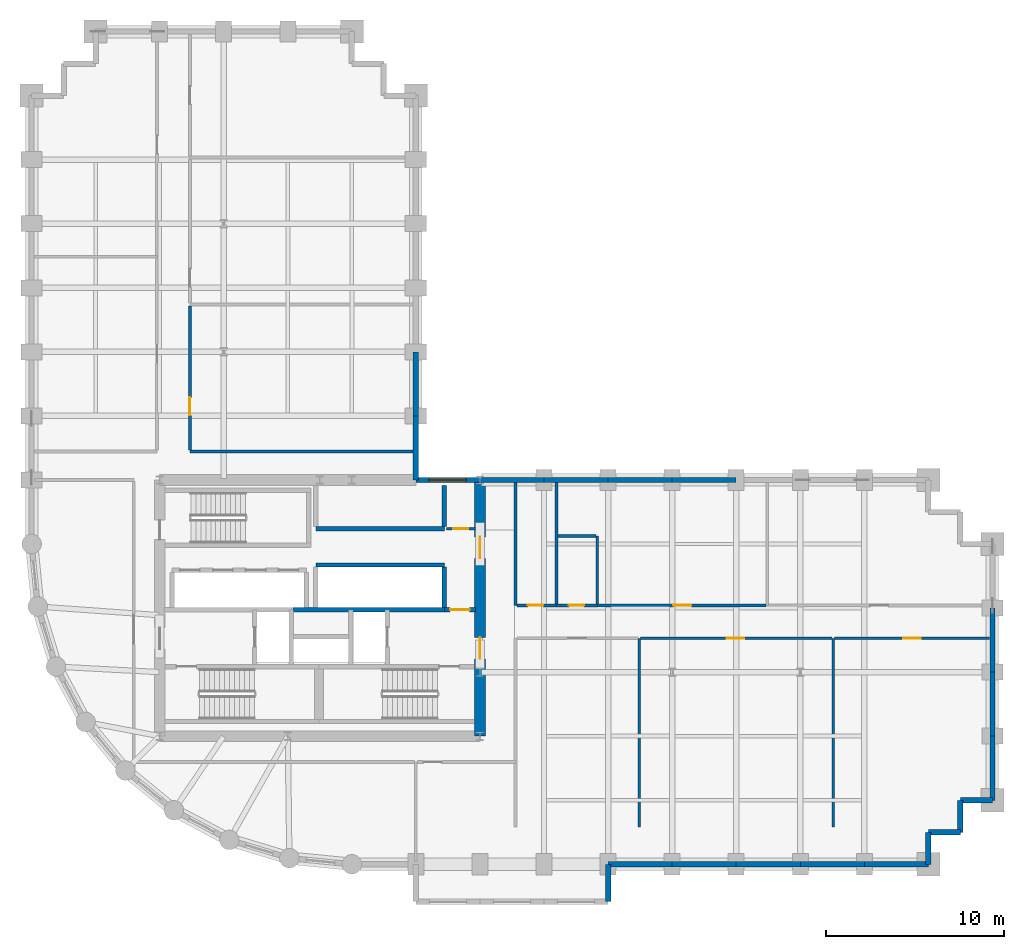
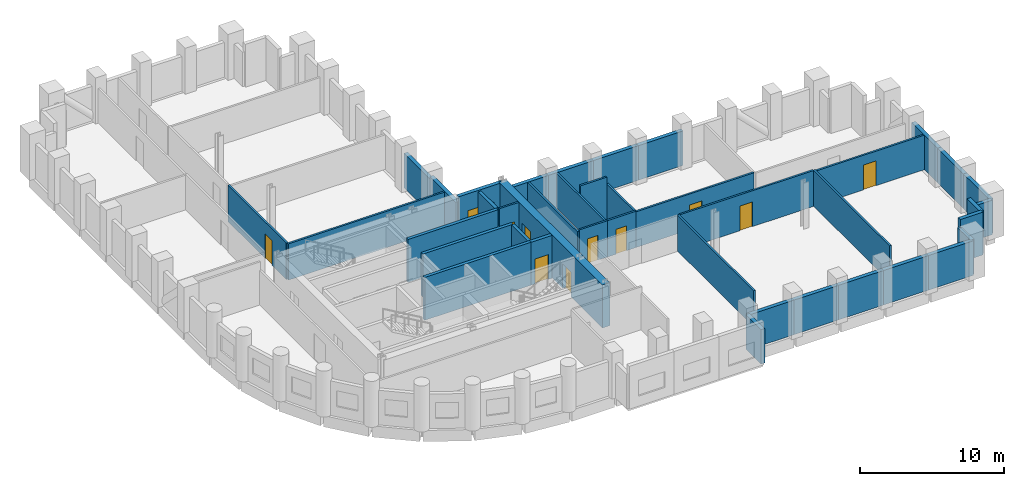
# One storey, part 7 of 9: 41 walls, 10 doors, 1 window, 11 openings.
"""IFC4 building model written with IfcOpenShell, lengths in metres."""

from ifc_helpers import new_model, si_unit, direction, frame, frame_2d, origin, place, context, subcontext, project, spatial, rectangle, extrude, material, layer, layer_set, type_object, element, fill, save


model = new_model("IFC4")

# Units and contexts
model_context = context("Model", 3, precision=1e-05, world=origin(), true_north=direction((0.0, 1.0)))
body_context = subcontext(model_context, "Body", "Model", "MODEL_VIEW")
ifc_project = project(units=[si_unit("LENGTHUNIT", "METRE"), si_unit("AREAUNIT", "SQUARE_METRE"), si_unit("VOLUMEUNIT", "CUBIC_METRE"), si_unit("PLANEANGLEUNIT", "RADIAN"), si_unit("MASSUNIT", "GRAM", prefix="KILO")], contexts=[model_context])

# Site, building, storey
site_placement = place(None, origin())
site = spatial("IfcSite", under=ifc_project, at=site_placement, CompositionType="ELEMENT")
building_placement = place(site_placement, origin())
building = spatial("IfcBuilding", under=site, at=building_placement, Name="Solnavia Interchange Tower", CompositionType="ELEMENT")
storey_placement = place(building_placement, frame((0.0, 0.0, 59.10009765625)))
storey = spatial("IfcBuildingStorey", under=building, at=storey_placement, Name="L14", CompositionType="ELEMENT", Elevation=59.10009765625)

# Walls
ifc_material_1 = material(Name="Concrete C40/50", Category="concrete")
ifc_layer_1 = layer(ifc_material_1, 0.300048828125)
ifc_layer_set_1 = layer_set([ifc_layer_1], Name="Concrete C40/50")
wall_type_1 = type_object("IfcWallType", Name="Wall-ExtSpandrel-300", PredefinedType="STANDARD", material=ifc_layer_set_1)
wall_1_placement = place(storey_placement, frame((39.60009765625, 3.60009765625, 0.0), z_axis=(0.0, 0.0, 1.0), x_axis=(0.0, -1.0, 0.0)))
element("IfcWall", 1, at=wall_1_placement, inside=storey, type_object=wall_type_1, Name="EXW-L14-06 Exterior precast spandrel wall", PredefinedType="STANDARD", context=body_context, shape_type="SweptSolid", body=[
    extrude(rectangle(XDim=2.10009765625, YDim=0.300048828125, at=frame_2d((1.050048828125, 0.0))), origin(), (0.0, 0.0, 1.0), 2.929931640625),
])
wall_2_placement = place(storey_placement, frame((43.199951171875, 3.60009765625, 0.0), z_axis=(0.0, 0.0, 1.0), x_axis=(-1.0, 0.0, 0.0)))
element("IfcWall", 2, at=wall_2_placement, inside=storey, type_object=wall_type_1, Name="EXW-L14-07 Exterior precast spandrel wall", PredefinedType="STANDARD", context=body_context, shape_type="SweptSolid", body=[
    extrude(rectangle(XDim=3.599853515625, YDim=0.300048828125, at=frame_2d((1.7998046875, 0.0))), origin(), (0.0, 0.0, 1.0), 2.929931640625),
])
wall_3_placement = place(storey_placement, frame((46.800048828125, 3.60009765625, 0.0), z_axis=(0.0, 0.0, 1.0), x_axis=(-1.0, 0.0, 0.0)))
element("IfcWall", 3, at=wall_3_placement, inside=storey, type_object=wall_type_1, Name="EXW-L14-08 Exterior precast spandrel wall", PredefinedType="STANDARD", context=body_context, shape_type="SweptSolid", body=[
    extrude(rectangle(XDim=3.60009765625, YDim=0.300048828125, at=frame_2d((1.800048828125, 0.0))), origin(), (0.0, 0.0, 1.0), 2.929931640625),
])
wall_4_placement = place(storey_placement, frame((50.39990234375, 3.60009765625, 0.0), z_axis=(0.0, 0.0, 1.0), x_axis=(-1.0, 0.0, 0.0)))
element("IfcWall", 4, at=wall_4_placement, inside=storey, type_object=wall_type_1, Name="EXW-L14-09 Exterior precast spandrel wall", PredefinedType="STANDARD", context=body_context, shape_type="SweptSolid", body=[
    extrude(rectangle(XDim=3.599853515625, YDim=0.300048828125, at=frame_2d((1.7998046875, 0.0))), origin(), (0.0, 0.0, 1.0), 2.929931640625),
])
for number, where, z_axis, x_axis, name in (
    (5, (54.0, 3.60009765625, 0.0), (0.0, 0.0, 1.0), (-1.0, 0.0, 0.0), "EXW-L14-10 Exterior precast spandrel wall"),
    (6, (57.60009765625, 3.60009765625, 0.0), (0.0, 0.0, 1.0), (-1.0, 0.0, 0.0), "EXW-L14-11 Exterior precast spandrel wall"),
):
    element("IfcWall", number, at=place(storey_placement, frame(where, z_axis=z_axis, x_axis=x_axis)), inside=storey, type_object=wall_type_1, Name=name, PredefinedType="STANDARD", context=body_context, shape_type="SweptSolid", body=[
        extrude(rectangle(XDim=3.60009765625, YDim=0.300048828125, at=frame_2d((1.800048828125, 0.0))), origin(), (0.0, 0.0, 1.0), 2.929931640625),
    ])
wall_5_placement = place(storey_placement, frame((57.60009765625, 5.39990234375, 0.0), z_axis=(0.0, 0.0, 1.0), x_axis=(0.0, -1.0, 0.0)))
element("IfcWall", 7, at=wall_5_placement, inside=storey, type_object=wall_type_1, Name="EXW-L14-12 Exterior precast spandrel wall", PredefinedType="STANDARD", context=body_context, shape_type="SweptSolid", body=[
    extrude(rectangle(XDim=1.7998046875, YDim=0.300048828125, at=frame_2d((0.89990234375, 0.0))), origin(), (0.0, 0.0, 1.0), 2.929931640625),
])
wall_6_placement = place(storey_placement, frame((59.39990234375, 5.39990234375, 0.0), z_axis=(0.0, 0.0, 1.0), x_axis=(-1.0, 0.0, 0.0)))
element("IfcWall", 8, at=wall_6_placement, inside=storey, type_object=wall_type_1, Name="EXW-L14-13 Exterior precast spandrel wall", PredefinedType="STANDARD", context=body_context, shape_type="SweptSolid", body=[
    extrude(rectangle(XDim=1.7998046875, YDim=0.300048828125, at=frame_2d((0.89990234375, 0.0))), origin(), (0.0, 0.0, 1.0), 3.635009765625),
])
wall_7_placement = place(storey_placement, frame((59.39990234375, 7.199951171875, 0.0), z_axis=(0.0, 0.0, 1.0), x_axis=(0.0, -1.0, 0.0)))
element("IfcWall", 9, at=wall_7_placement, inside=storey, type_object=wall_type_1, Name="EXW-L14-14 Exterior precast spandrel wall", PredefinedType="STANDARD", context=body_context, shape_type="SweptSolid", body=[
    extrude(rectangle(XDim=1.800048828125, YDim=0.300048828125, at=frame_2d((0.89990234375, 0.0))), origin(), (0.0, 0.0, 1.0), 3.635009765625),
])
wall_8_placement = place(storey_placement, frame((61.199951171875, 7.199951171875, 0.0), z_axis=(0.0, 0.0, 1.0), x_axis=(-1.0, 0.0, 0.0)))
element("IfcWall", 10, at=wall_8_placement, inside=storey, type_object=wall_type_1, Name="EXW-L14-15 Exterior precast spandrel wall", PredefinedType="STANDARD", context=body_context, shape_type="SweptSolid", body=[
    extrude(rectangle(XDim=1.800048828125, YDim=0.300048828125, at=frame_2d((0.89990234375, 0.0))), origin(), (0.0, 0.0, 1.0), 2.929931640625),
])
wall_9_placement = place(storey_placement, frame((61.199951171875, 10.800048828125, 0.0), z_axis=(0.0, 0.0, 1.0), x_axis=(0.0, -1.0, 0.0)))
element("IfcWall", 11, at=wall_9_placement, inside=storey, type_object=wall_type_1, Name="EXW-L14-16 Exterior precast spandrel wall", PredefinedType="STANDARD", context=body_context, shape_type="SweptSolid", body=[
    extrude(rectangle(XDim=3.60009765625, YDim=0.300048828125, at=frame_2d((1.800048828125, 0.0))), origin(), (0.0, 0.0, 1.0), 2.929931640625),
])
wall_10_placement = place(storey_placement, frame((61.199951171875, 14.39990234375, 0.0), z_axis=(0.0, 0.0, 1.0), x_axis=(0.0, -1.0, 0.0)))
element("IfcWall", 12, at=wall_10_placement, inside=storey, type_object=wall_type_1, Name="EXW-L14-17 Exterior precast spandrel wall", PredefinedType="STANDARD", context=body_context, shape_type="SweptSolid", body=[
    extrude(rectangle(XDim=3.599853515625, YDim=0.300048828125, at=frame_2d((1.7998046875, 0.0))), origin(), (0.0, 0.0, 1.0), 2.929931640625),
])
for number, where, z_axis, x_axis, name in (
    (13, (61.199951171875, 18.0, 0.0), (0.0, 0.0, 1.0), (0.0, -1.0, 0.0), "EXW-L14-18 Exterior precast spandrel wall"),
    (14, (43.199951171875, 25.199951171875, 0.0), (0.0, 0.0, 1.0), (1.0, 0.0, 0.0), "EXW-L14-27 Exterior precast spandrel wall"),
):
    element("IfcWall", number, at=place(storey_placement, frame(where, z_axis=z_axis, x_axis=x_axis)), inside=storey, type_object=wall_type_1, Name=name, PredefinedType="STANDARD", context=body_context, shape_type="SweptSolid", body=[
        extrude(rectangle(XDim=3.60009765625, YDim=0.300048828125, at=frame_2d((1.800048828125, 0.0))), origin(), (0.0, 0.0, 1.0), 2.929931640625),
    ])
wall_11_placement = place(storey_placement, frame((39.60009765625, 25.199951171875, 0.0), z_axis=(0.0, 0.0, 1.0), x_axis=(1.0, 0.0, 0.0)))
element("IfcWall", 15, at=wall_11_placement, inside=storey, type_object=wall_type_1, Name="EXW-L14-28 Exterior precast spandrel wall", PredefinedType="STANDARD", context=body_context, shape_type="SweptSolid", body=[
    extrude(rectangle(XDim=3.599853515625, YDim=0.300048828125, at=frame_2d((1.7998046875, 0.0))), origin(), (0.0, 0.0, 1.0), 2.929931640625),
])
for number, where, z_axis, x_axis, name in (
    (16, (36.0, 25.199951171875, 0.0), (0.0, 0.0, 1.0), (1.0, 0.0, 0.0), "EXW-L14-29 Exterior precast spandrel wall"),
    (17, (32.39990234375, 25.199951171875, 0.0), (0.0, 0.0, 1.0), (1.0, 0.0, 0.0), "EXW-L14-30 Exterior precast spandrel wall"),
):
    element("IfcWall", number, at=place(storey_placement, frame(where, z_axis=z_axis, x_axis=x_axis)), inside=storey, type_object=wall_type_1, Name=name, PredefinedType="STANDARD", context=body_context, shape_type="SweptSolid", body=[
        extrude(rectangle(XDim=3.60009765625, YDim=0.300048828125, at=frame_2d((1.800048828125, 0.0))), origin(), (0.0, 0.0, 1.0), 2.929931640625),
    ])

# Wall, opening, window
wall_12_placement = place(storey_placement, frame((28.800048828125, 25.199951171875, 0.0), z_axis=(0.0, 0.0, 1.0), x_axis=(1.0, 0.0, 0.0)))
wall_12 = element("IfcWall", 18, at=wall_12_placement, inside=storey, type_object=wall_type_1, Name="EXW-L14-31 Exterior precast spandrel wall", PredefinedType="STANDARD", context=body_context, shape_type="SweptSolid", body=[
    extrude(rectangle(XDim=3.599853515625, YDim=0.300048828125, at=frame_2d((1.7998046875, 0.0))), origin(), (0.0, 0.0, 1.0), 3.635009765625),
])
opening_1_placement = place(wall_12_placement, frame((0.72802734375, 0.0, 0.85009765625)))
opening_1 = element("IfcOpeningElement", 19, at=opening_1_placement, cuts=wall_12, Name="Opening WIN-01", PredefinedType="OPENING", context=body_context, shape_type="SweptSolid", body=[
    extrude(rectangle(XDim=2.10009765625, YDim=1.35009765625, at=frame_2d((1.050048828125, 0.675048828125))), frame((0.0, 0.16015625, 0.0), z_axis=(0.0, -1.0, 0.0), x_axis=(1.0, 0.0, 0.0)), (0.0, 0.0, 1.0), 0.320068359375),
])
ifc_material_2 = material(Name="Thermal-Break Aluminium & Low-E Glass", Category="aluminium")
window_type = type_object("IfcWindowType", Name="Window-Ribbon-2100x1350", PartitioningType="SINGLE_PANEL", PredefinedType="WINDOW", material=ifc_material_2)
window_placement = place(opening_1_placement, origin())
window = element("IfcWindow", 20, at=window_placement, inside=storey, type_object=window_type, Name="WIN-L14-31 Facade ribbon window", OverallHeight=1.35009765625, OverallWidth=2.10009765625, PartitioningType="SINGLE_PANEL", PredefinedType="WINDOW", context=body_context, shape_type="SweptSolid", body=[
    extrude(rectangle(XDim=2.10009765625, YDim=1.35009765625, at=frame_2d((1.050048828125, 0.675048828125))), frame((0.0, 0.030029296875, 0.0), z_axis=(0.0, -1.0, 0.0), x_axis=(1.0, 0.0, 0.0)), (0.0, 0.0, 1.0), 0.06005859375),
])
fill(opening_1, window)

# Walls
wall_13_placement = place(storey_placement, frame((28.800048828125, 25.199951171875, 0.0), z_axis=(0.0, 0.0, 1.0), x_axis=(0.0, 1.0, 0.0)))
element("IfcWall", 21, at=wall_13_placement, inside=storey, type_object=wall_type_1, Name="EXW-L14-32 Exterior precast spandrel wall", PredefinedType="STANDARD", context=body_context, shape_type="SweptSolid", body=[
    extrude(rectangle(XDim=3.60009765625, YDim=0.300048828125, at=frame_2d((1.800048828125, 0.0))), origin(), (0.0, 0.0, 1.0), 3.139892578125),
])
wall_14_placement = place(storey_placement, frame((28.800048828125, 28.800048828125, 0.0), z_axis=(0.0, 0.0, 1.0), x_axis=(0.0, 1.0, 0.0)))
element("IfcWall", 22, at=wall_14_placement, inside=storey, type_object=wall_type_1, Name="EXW-L14-33 Exterior precast spandrel wall", PredefinedType="STANDARD", context=body_context, shape_type="SweptSolid", body=[
    extrude(rectangle(XDim=3.599853515625, YDim=0.300048828125, at=frame_2d((1.7998046875, 0.0))), origin(), (0.0, 0.0, 1.0), 2.929931640625),
])

# Wall, opening, door
ifc_material_3 = material(Name="Gypsum Plasterboard & Steel Stud", Category="steel")
ifc_layer_2 = layer(ifc_material_3, 0.14990234375)
ifc_layer_set_2 = layer_set([ifc_layer_2], Name="Gypsum Plasterboard & Steel Stud")
wall_type_2 = type_object("IfcWallType", Name="Wall-Partition-150", PredefinedType="PARTITIONING", material=ifc_layer_set_2)
wall_15_placement = place(storey_placement, frame((30.52001953125, 22.4599609375, 0.0), z_axis=(0.0, 0.0, 1.0), x_axis=(1.0, 0.0, 0.0)))
wall_15 = element("IfcWall", 23, at=wall_15_placement, inside=storey, type_object=wall_type_2, Name="CSW-L14-NE-S Core shaft wall", PredefinedType="PARTITIONING", context=body_context, shape_type="SweptSolid", body=[
    extrude(rectangle(XDim=1.6298828125, YDim=0.14990234375, at=frame_2d((0.81494140625, 0.0))), origin(), (0.0, 0.0, 1.0), 3.635009765625),
])
opening_2_placement = place(wall_15_placement, frame((0.3798828125, 0.0, 0.0)))
opening_2 = element("IfcOpeningElement", 24, at=opening_2_placement, cuts=wall_15, Name="Opening DR-10", PredefinedType="OPENING", context=body_context, shape_type="SweptSolid", body=[
    extrude(rectangle(XDim=0.85009765625, YDim=2.10009765625, at=frame_2d((0.425048828125, 1.050048828125))), frame((0.0, 0.0849609375, 0.0), z_axis=(0.0, -1.0, 0.0), x_axis=(1.0, 0.0, 0.0)), (0.0, 0.0, 1.0), 0.169921875),
])
ifc_material_4 = material(Name="Moisture-Resistant Timber Door", Category="wood")
door_type_1 = type_object("IfcDoorType", Name="Door-Bathroom-850x2100", OperationType="SINGLE_SWING_RIGHT", PredefinedType="DOOR", material=ifc_material_4)
door_1_placement = place(opening_2_placement, origin())
door_1 = element("IfcDoor", 25, at=door_1_placement, inside=storey, type_object=door_type_1, Name="DR-L14-CNE1 Core fire door", OperationType="SINGLE_SWING_RIGHT", OverallHeight=2.10009765625, OverallWidth=0.85009765625, PredefinedType="DOOR", context=body_context, shape_type="SweptSolid", body=[
    extrude(rectangle(XDim=0.85009765625, YDim=2.10009765625, at=frame_2d((0.425048828125, 1.050048828125))), frame((0.0, 0.02490234375, 0.0), z_axis=(0.0, -1.0, 0.0), x_axis=(1.0, 0.0, 0.0)), (0.0, 0.0, 1.0), 0.050048828125),
])
fill(opening_2, door_1)

# Walls
for number, where, z_axis, x_axis, name in (
    (26, (41.35009765625, 5.699951171875, 0.0), (0.0, 0.0, 1.0), (0.0, 1.0, 0.0), "PTW-L14-13 Interior partition wall"),
    (27, (52.25, 5.699951171875, 0.0), (0.0, 0.0, 1.0), (0.0, 1.0, 0.0), "PTW-L14-15 Interior partition wall"),
):
    element("IfcWall", number, at=place(storey_placement, frame(where, z_axis=z_axis, x_axis=x_axis)), inside=storey, type_object=wall_type_2, Name=name, PredefinedType="PARTITIONING", context=body_context, shape_type="SweptSolid", body=[
        extrude(rectangle(XDim=10.60009765625, YDim=0.14990234375, at=frame_2d((5.300048828125, 0.0))), origin(), (0.0, 0.0, 1.0), 3.02978515625),
    ])

# Wall, opening, door
wall_16_placement = place(storey_placement, frame((41.428955078125, 16.300048828125, 0.0), z_axis=(0.0, 0.0, 1.0), x_axis=(1.0, 0.0, 0.0)))
wall_16 = element("IfcWall", 28, at=wall_16_placement, inside=storey, type_object=wall_type_2, Name="PTW-L14-16 Interior partition wall", PredefinedType="PARTITIONING", context=body_context, shape_type="SweptSolid", body=[
    extrude(rectangle(XDim=10.741943359375, YDim=0.14990234375, at=frame_2d((5.37109375, 0.0))), origin(), (0.0, 0.0, 1.0), 3.039794921875),
])
opening_3_placement = place(wall_16_placement, frame((4.8310546875, 0.0, 0.0)))
opening_3 = element("IfcOpeningElement", 29, at=opening_3_placement, cuts=wall_16, Name="Opening DR-07", PredefinedType="OPENING", context=body_context, shape_type="SweptSolid", body=[
    extrude(rectangle(XDim=1.0, YDim=2.10009765625, at=frame_2d((0.5, 1.050048828125))), frame((0.0, 0.0849609375, 0.0), z_axis=(0.0, -1.0, 0.0), x_axis=(1.0, 0.0, 0.0)), (0.0, 0.0, 1.0), 0.169921875),
])
ifc_material_5 = material(Name="Timber & Acoustic Glazed Office Door", Category="wood")
door_type_2 = type_object("IfcDoorType", Name="Door-Office-1000x2100", OperationType="SINGLE_SWING_RIGHT", PredefinedType="DOOR", material=ifc_material_5)
door_2_placement = place(opening_3_placement, origin())
door_2 = element("IfcDoor", 30, at=door_2_placement, inside=storey, type_object=door_type_2, Name="DR-L14-06 Interior room door", OperationType="SINGLE_SWING_RIGHT", OverallHeight=2.10009765625, OverallWidth=1.0, PredefinedType="DOOR", context=body_context, shape_type="SweptSolid", body=[
    extrude(rectangle(XDim=1.0, YDim=2.10009765625, at=frame_2d((0.5, 1.050048828125))), frame((0.0, 0.02490234375, 0.0), z_axis=(0.0, -1.0, 0.0), x_axis=(1.0, 0.0, 0.0)), (0.0, 0.0, 1.0), 0.050048828125),
])
fill(opening_3, door_2)

wall_17_placement = place(storey_placement, frame((52.3291015625, 16.300048828125, 0.0), z_axis=(0.0, 0.0, 1.0), x_axis=(1.0, 0.0, 0.0)))
wall_17 = element("IfcWall", 31, at=wall_17_placement, inside=storey, type_object=wall_type_2, Name="PTW-L14-17 Interior partition wall", PredefinedType="PARTITIONING", context=body_context, shape_type="SweptSolid", body=[
    extrude(rectangle(XDim=8.716796875, YDim=0.14990234375, at=frame_2d((4.3583984375, 0.0))), origin(), (0.0, 0.0, 1.0), 2.929931640625),
])
opening_4_placement = place(wall_17_placement, frame((3.85595703125, 0.0, 0.0)))
opening_4 = element("IfcOpeningElement", 32, at=opening_4_placement, cuts=wall_17, Name="Opening DR-07", PredefinedType="OPENING", context=body_context, shape_type="SweptSolid", body=[
    extrude(rectangle(XDim=1.0, YDim=2.10009765625, at=frame_2d((0.5, 1.050048828125))), frame((0.0, 0.0849609375, 0.0), z_axis=(0.0, -1.0, 0.0), x_axis=(1.0, 0.0, 0.0)), (0.0, 0.0, 1.0), 0.169921875),
])
door_3_placement = place(opening_4_placement, origin())
door_3 = element("IfcDoor", 33, at=door_3_placement, inside=storey, type_object=door_type_2, Name="DR-L14-07 Interior room door", OperationType="SINGLE_SWING_LEFT", OverallHeight=2.10009765625, OverallWidth=1.0, PredefinedType="DOOR", context=body_context, shape_type="SweptSolid", body=[
    extrude(rectangle(XDim=1.0, YDim=2.10009765625, at=frame_2d((0.5, 1.050048828125))), frame((0.0, 0.02490234375, 0.0), z_axis=(0.0, -1.0, 0.0), x_axis=(1.0, 0.0, 0.0)), (0.0, 0.0, 1.0), 0.050048828125),
])
fill(opening_4, door_3)

wall_18_placement = place(storey_placement, frame((39.0, 18.14990234375, 0.0), z_axis=(0.0, 0.0, 1.0), x_axis=(1.0, 0.0, 0.0)))
wall_18 = element("IfcWall", 34, at=wall_18_placement, inside=storey, type_object=wall_type_2, Name="PTW-L14-19 Interior partition wall", PredefinedType="PARTITIONING", context=body_context, shape_type="SweptSolid", body=[
    extrude(rectangle(XDim=9.470947265625, YDim=0.14990234375, at=frame_2d((4.7353515625, 0.0))), origin(), (0.0, 0.0, 1.0), 3.02978515625),
])
opening_5_placement = place(wall_18_placement, frame((4.27490234375, 0.0, 0.0)))
opening_5 = element("IfcOpeningElement", 35, at=opening_5_placement, cuts=wall_18, Name="Opening DR-07", PredefinedType="OPENING", context=body_context, shape_type="SweptSolid", body=[
    extrude(rectangle(XDim=1.0, YDim=2.10009765625, at=frame_2d((0.5, 1.050048828125))), frame((0.0, 0.0849609375, 0.0), z_axis=(0.0, -1.0, 0.0), x_axis=(1.0, 0.0, 0.0)), (0.0, 0.0, 1.0), 0.169921875),
])
door_4_placement = place(opening_5_placement, origin())
door_4 = element("IfcDoor", 36, at=door_4_placement, inside=storey, type_object=door_type_2, Name="DR-L14-08 Interior room door", OperationType="SINGLE_SWING_RIGHT", OverallHeight=2.10009765625, OverallWidth=1.0, PredefinedType="DOOR", context=body_context, shape_type="SweptSolid", body=[
    extrude(rectangle(XDim=1.0, YDim=2.10009765625, at=frame_2d((0.5, 1.050048828125))), frame((0.0, 0.02490234375, 0.0), z_axis=(0.0, -1.0, 0.0), x_axis=(1.0, 0.0, 0.0)), (0.0, 0.0, 1.0), 0.050048828125),
])
fill(opening_5, door_4)

# Wall
wall_19_placement = place(storey_placement, frame((16.10009765625, 26.800048828125, 0.0), z_axis=(0.0, 0.0, 1.0), x_axis=(1.0, 0.0, 0.0)))
element("IfcWall", 37, at=wall_19_placement, inside=storey, type_object=wall_type_2, Name="PTW-L14-25 Interior partition wall", PredefinedType="PARTITIONING", context=body_context, shape_type="SweptSolid", body=[
    extrude(rectangle(XDim=12.5458984375, YDim=0.14990234375, at=frame_2d((6.27294921875, 0.0))), origin(), (0.0, 0.0, 1.0), 3.079833984375),
])

# Wall, opening, door
wall_20_placement = place(storey_placement, frame((16.10009765625, 26.87890625, 0.0), z_axis=(0.0, 0.0, 1.0), x_axis=(0.0, 1.0, 0.0)))
wall_20 = element("IfcWall", 38, at=wall_20_placement, inside=storey, type_object=wall_type_2, Name="PTW-L14-27 Interior partition wall", PredefinedType="PARTITIONING", context=body_context, shape_type="SweptSolid", body=[
    extrude(rectangle(XDim=8.10205078125, YDim=0.14990234375, at=frame_2d((4.051025390625, 0.0))), origin(), (0.0, 0.0, 1.0), 3.079833984375),
])
opening_6_placement = place(wall_20_placement, frame((1.9560546875, 0.0, 0.0)))
opening_6 = element("IfcOpeningElement", 39, at=opening_6_placement, cuts=wall_20, Name="Opening DR-07", PredefinedType="OPENING", context=body_context, shape_type="SweptSolid", body=[
    extrude(rectangle(XDim=1.0, YDim=2.10009765625, at=frame_2d((0.5, 1.050048828125))), frame((0.0, 0.0849609375, 0.0), z_axis=(0.0, -1.0, 0.0), x_axis=(1.0, 0.0, 0.0)), (0.0, 0.0, 1.0), 0.169921875),
])
door_5_placement = place(opening_6_placement, origin())
door_5 = element("IfcDoor", 40, at=door_5_placement, inside=storey, type_object=door_type_2, Name="DR-L14-12 Interior room door", OperationType="SINGLE_SWING_LEFT", OverallHeight=2.10009765625, OverallWidth=1.0, PredefinedType="DOOR", context=body_context, shape_type="SweptSolid", body=[
    extrude(rectangle(XDim=1.0, YDim=2.10009765625, at=frame_2d((0.5, 1.050048828125))), frame((0.0, 0.02490234375, 0.0), z_axis=(0.0, -1.0, 0.0), x_axis=(1.0, 0.0, 0.0)), (0.0, 0.0, 1.0), 0.050048828125),
])
fill(opening_6, door_5)

# Wall
ifc_layer_3 = layer(ifc_material_1, 0.25)
ifc_layer_set_3 = layer_set([ifc_layer_3], Name="Concrete C40/50")
wall_type_3 = type_object("IfcWallType", Name="Wall-ShaftPart-250", PredefinedType="PARTITIONING", material=ifc_layer_set_3)
wall_21_placement = place(storey_placement, frame((21.8798828125, 17.89990234375, 0.0), z_axis=(0.0, 0.0, 1.0), x_axis=(1.0, 0.0, 0.0)))
element("IfcWall", 41, at=wall_21_placement, inside=storey, type_object=wall_type_3, Name="SHW-L14-FFLE-N1 Core shaft wall", PredefinedType="PARTITIONING", context=body_context, shape_type="SweptSolid", body=[
    extrude(rectangle(XDim=8.52001953125, YDim=0.25, at=frame_2d((4.260009765625, 0.0))), origin(), (0.0, 0.0, 1.0), 3.635009765625),
])

# Wall, opening, door
wall_22_placement = place(storey_placement, frame((30.39990234375, 17.89990234375, 0.0), z_axis=(0.0, 0.0, 1.0), x_axis=(1.0, 0.0, 0.0)))
wall_22 = element("IfcWall", 42, at=wall_22_placement, inside=storey, type_object=wall_type_3, Name="SHW-L14-FFLE-N2 Core shaft wall", PredefinedType="PARTITIONING", context=body_context, shape_type="SweptSolid", body=[
    extrude(rectangle(XDim=1.75, YDim=0.25, at=frame_2d((0.875, 0.0))), origin(), (0.0, 0.0, 1.0), 3.635009765625),
])
opening_7_placement = place(wall_22_placement, frame((0.320068359375, 0.0, 0.0)))
opening_7 = element("IfcOpeningElement", 43, at=opening_7_placement, cuts=wall_22, Name="Opening DR-01", PredefinedType="OPENING", context=body_context, shape_type="SweptSolid", body=[
    extrude(rectangle(XDim=1.10009765625, YDim=2.10009765625, at=frame_2d((0.550048828125, 1.050048828125))), frame((0.0, 0.135009765625, 0.0), z_axis=(0.0, -1.0, 0.0), x_axis=(1.0, 0.0, 0.0)), (0.0, 0.0, 1.0), 0.27001953125),
])
ifc_material_6 = material(Name="Steel Fire-Rated Leaf & Frame", Category="steel")
door_type_3 = type_object("IfcDoorType", Name="Door-StairFire-1100x2100", OperationType="SINGLE_SWING_LEFT", PredefinedType="DOOR", material=ifc_material_6)
door_6_placement = place(opening_7_placement, origin())
door_6 = element("IfcDoor", 44, at=door_6_placement, inside=storey, type_object=door_type_3, Name="DR-L14-LLC Core fire door", OperationType="SINGLE_SWING_LEFT", OverallHeight=2.10009765625, OverallWidth=1.10009765625, PredefinedType="DOOR", context=body_context, shape_type="SweptSolid", body=[
    extrude(rectangle(XDim=1.10009765625, YDim=2.10009765625, at=frame_2d((0.550048828125, 1.050048828125))), frame((0.0, 0.02490234375, 0.0), z_axis=(0.0, -1.0, 0.0), x_axis=(1.0, 0.0, 0.0)), (0.0, 0.0, 1.0), 0.050048828125),
])
fill(opening_7, door_6)

# Walls
wall_23_placement = place(storey_placement, frame((23.179931640625, 20.419921875, 0.0), z_axis=(0.0, 0.0, 1.0), x_axis=(1.0, 0.0, 0.0)))
element("IfcWall", 45, at=wall_23_placement, inside=storey, type_object=wall_type_3, Name="SHW-L14-B2N Core shaft wall", PredefinedType="PARTITIONING", context=body_context, shape_type="SweptSolid", body=[
    extrude(rectangle(XDim=7.219970703125, YDim=0.25, at=frame_2d((3.60986328125, 0.0))), origin(), (0.0, 0.0, 1.0), 3.635009765625),
])
wall_24_placement = place(storey_placement, frame((30.39990234375, 18.02490234375, 0.0), z_axis=(0.0, 0.0, 1.0), x_axis=(0.0, 1.0, 0.0)))
element("IfcWall", 46, at=wall_24_placement, inside=storey, type_object=wall_type_3, Name="SHW-L14-B2E Core shaft wall", PredefinedType="PARTITIONING", context=body_context, shape_type="SweptSolid", body=[
    extrude(rectangle(XDim=2.27001953125, YDim=0.25, at=frame_2d((1.135009765625, 0.0))), origin(), (0.0, 0.0, 1.0), 3.635009765625),
])
wall_25_placement = place(storey_placement, frame((23.179931640625, 22.4599609375, 0.0), z_axis=(0.0, 0.0, 1.0), x_axis=(1.0, 0.0, 0.0)))
element("IfcWall", 47, at=wall_25_placement, inside=storey, type_object=wall_type_3, Name="SHW-L14-B3S Core shaft wall", PredefinedType="PARTITIONING", context=body_context, shape_type="SweptSolid", body=[
    extrude(rectangle(XDim=7.219970703125, YDim=0.25, at=frame_2d((3.60986328125, 0.0))), origin(), (0.0, 0.0, 1.0), 3.635009765625),
])
wall_26_placement = place(storey_placement, frame((30.39990234375, 22.5849609375, 0.0), z_axis=(0.0, 0.0, 1.0), x_axis=(0.0, 1.0, 0.0)))
element("IfcWall", 48, at=wall_26_placement, inside=storey, type_object=wall_type_3, Name="SHW-L14-B3E Core shaft wall", PredefinedType="PARTITIONING", context=body_context, shape_type="SweptSolid", body=[
    extrude(rectangle(XDim=2.31494140625, YDim=0.25, at=frame_2d((1.157470703125, 0.0))), origin(), (0.0, 0.0, 1.0), 3.635009765625),
])

# Wall, openings, doors
ifc_material_7 = material(Name="Concrete C60/75", Category="concrete")
ifc_layer_4 = layer(ifc_material_7, 0.60009765625)
ifc_layer_set_4 = layer_set([ifc_layer_4], Name="Concrete C60/75")
wall_type_4 = type_object("IfcWallType", Name="Wall-ShearCore-600", PredefinedType="SHEAR", material=ifc_layer_set_4)
wall_27_placement = place(storey_placement, frame((32.39990234375, 10.800048828125, 0.0), z_axis=(0.0, 0.0, 1.0), x_axis=(0.0, 1.0, 0.0)))
wall_27 = element("IfcWall", 49, at=wall_27_placement, inside=storey, type_object=wall_type_4, Name="CRW-L14-E Core shear wall", PredefinedType="SHEAR", context=body_context, shape_type="SweptSolid", body=[
    extrude(rectangle(XDim=14.39990234375, YDim=0.60009765625, at=frame_2d((7.199951171875, 0.0))), origin(), (0.0, 0.0, 1.0), 3.64990234375),
])
opening_8_placement = place(wall_27_placement, frame((4.35009765625, 0.0, 0.0)))
opening_8 = element("IfcOpeningElement", 50, at=opening_8_placement, cuts=wall_27, Name="Opening DR-02", PredefinedType="OPENING", context=body_context, shape_type="SweptSolid", body=[
    extrude(rectangle(XDim=1.199951171875, YDim=2.10009765625, at=frame_2d((0.60009765625, 1.050048828125))), frame((0.0, 0.31005859375, 0.0), z_axis=(0.0, -1.0, 0.0), x_axis=(1.0, 0.0, 0.0)), (0.0, 0.0, 1.0), 0.6201171875),
])
opening_9_placement = place(wall_27_placement, frame((10.0, 0.0, 0.0)))
opening_9 = element("IfcOpeningElement", 51, at=opening_9_placement, cuts=wall_27, Name="Opening DR-02", PredefinedType="OPENING", context=body_context, shape_type="SweptSolid", body=[
    extrude(rectangle(XDim=1.199951171875, YDim=2.10009765625, at=frame_2d((0.60009765625, 1.050048828125))), frame((0.0, 0.31005859375, 0.0), z_axis=(0.0, -1.0, 0.0), x_axis=(1.0, 0.0, 0.0)), (0.0, 0.0, 1.0), 0.6201171875),
])
ifc_material_8 = material(Name="Steel Fire-Rated Vision-Panel Door", Category="steel")
door_type_4 = type_object("IfcDoorType", Name="Door-LobbyFire-1200x2100", OperationType="SINGLE_SWING_RIGHT", PredefinedType="DOOR", material=ifc_material_8)
door_7_placement = place(opening_8_placement, origin())
door_7 = element("IfcDoor", 52, at=door_7_placement, inside=storey, type_object=door_type_4, Name="DR-L14-FFL2E Core fire door", OperationType="SINGLE_SWING_LEFT", OverallHeight=2.10009765625, OverallWidth=1.199951171875, PredefinedType="DOOR", context=body_context, shape_type="SweptSolid", body=[
    extrude(rectangle(XDim=1.199951171875, YDim=2.10009765625, at=frame_2d((0.60009765625, 1.050048828125))), frame((0.0, 0.02490234375, 0.0), z_axis=(0.0, -1.0, 0.0), x_axis=(1.0, 0.0, 0.0)), (0.0, 0.0, 1.0), 0.050048828125),
])
fill(opening_8, door_7)
door_8_placement = place(opening_9_placement, origin())
door_8 = element("IfcDoor", 53, at=door_8_placement, inside=storey, type_object=door_type_4, Name="DR-L14-LLE Core fire door", OperationType="SINGLE_SWING_RIGHT", OverallHeight=2.10009765625, OverallWidth=1.199951171875, PredefinedType="DOOR", context=body_context, shape_type="SweptSolid", body=[
    extrude(rectangle(XDim=1.199951171875, YDim=2.10009765625, at=frame_2d((0.60009765625, 1.050048828125))), frame((0.0, 0.02490234375, 0.0), z_axis=(0.0, -1.0, 0.0), x_axis=(1.0, 0.0, 0.0)), (0.0, 0.0, 1.0), 0.050048828125),
])
fill(opening_9, door_8)

# Wall
ifc_material_9 = material(Name="Moisture-Resistant Gypsum & Steel Stud", Category="steel")
ifc_layer_5 = layer(ifc_material_9, 0.14990234375)
ifc_layer_set_5 = layer_set([ifc_layer_5], Name="Moisture-Resistant Gypsum & Steel Stud")
wall_type_5 = type_object("IfcWallType", Name="Wall-WetRoom-150", PredefinedType="PARTITIONING", material=ifc_layer_set_5)
wall_28_placement = place(storey_placement, frame((34.39990234375, 18.14990234375, 0.0), z_axis=(0.0, 0.0, 1.0), x_axis=(0.0, 1.0, 0.0)))
element("IfcWall", 54, at=wall_28_placement, inside=storey, type_object=wall_type_5, Name="PTW-L14-01 Interior partition wall", PredefinedType="PARTITIONING", context=body_context, shape_type="SweptSolid", body=[
    extrude(rectangle(XDim=6.89599609375, YDim=0.14990234375, at=frame_2d((3.447998046875, 0.0))), origin(), (0.0, 0.0, 1.0), 2.929931640625),
])

# Wall, opening, door
wall_29_placement = place(storey_placement, frame((34.47900390625, 18.14990234375, 0.0), z_axis=(0.0, 0.0, 1.0), x_axis=(1.0, 0.0, 0.0)))
wall_29 = element("IfcWall", 55, at=wall_29_placement, inside=storey, type_object=wall_type_5, Name="PTW-L14-02 Interior partition wall", PredefinedType="PARTITIONING", context=body_context, shape_type="SweptSolid", body=[
    extrude(rectangle(XDim=2.220947265625, YDim=0.14990234375, at=frame_2d((1.1103515625, 0.0))), origin(), (0.0, 0.0, 1.0), 3.079833984375),
])
opening_10_placement = place(wall_29_placement, frame((0.617919921875, 0.0, 0.0)))
opening_10 = element("IfcOpeningElement", 56, at=opening_10_placement, cuts=wall_29, Name="Opening DR-10", PredefinedType="OPENING", context=body_context, shape_type="SweptSolid", body=[
    extrude(rectangle(XDim=0.85009765625, YDim=2.10009765625, at=frame_2d((0.425048828125, 1.050048828125))), frame((0.0, 0.0849609375, 0.0), z_axis=(0.0, -1.0, 0.0), x_axis=(1.0, 0.0, 0.0)), (0.0, 0.0, 1.0), 0.169921875),
])
door_9_placement = place(opening_10_placement, origin())
door_9 = element("IfcDoor", 57, at=door_9_placement, inside=storey, type_object=door_type_1, Name="DR-L14-01 Interior room door", OperationType="SINGLE_SWING_LEFT", OverallHeight=2.10009765625, OverallWidth=0.85009765625, PredefinedType="DOOR", context=body_context, shape_type="SweptSolid", body=[
    extrude(rectangle(XDim=0.85009765625, YDim=2.10009765625, at=frame_2d((0.425048828125, 1.050048828125))), frame((0.0, 0.02490234375, 0.0), z_axis=(0.0, -1.0, 0.0), x_axis=(1.0, 0.0, 0.0)), (0.0, 0.0, 1.0), 0.050048828125),
])
fill(opening_10, door_9)

# Wall
wall_30_placement = place(storey_placement, frame((36.699951171875, 18.22900390625, 0.0), z_axis=(0.0, 0.0, 1.0), x_axis=(0.0, 1.0, 0.0)))
element("IfcWall", 58, at=wall_30_placement, inside=storey, type_object=wall_type_5, Name="PTW-L14-03 Interior partition wall", PredefinedType="PARTITIONING", context=body_context, shape_type="SweptSolid", body=[
    extrude(rectangle(XDim=6.81689453125, YDim=0.14990234375, at=frame_2d((3.408447265625, 0.0))), origin(), (0.0, 0.0, 1.0), 2.929931640625),
])

# Wall, opening, door
wall_31_placement = place(storey_placement, frame((36.699951171875, 18.14990234375, 0.0), z_axis=(0.0, 0.0, 1.0), x_axis=(1.0, 0.0, 0.0)))
wall_31 = element("IfcWall", 59, at=wall_31_placement, inside=storey, type_object=wall_type_5, Name="PTW-L14-04 Interior partition wall", PredefinedType="PARTITIONING", context=body_context, shape_type="SweptSolid", body=[
    extrude(rectangle(XDim=2.300048828125, YDim=0.14990234375, at=frame_2d((1.14990234375, 0.0))), origin(), (0.0, 0.0, 1.0), 3.079833984375),
])
opening_11_placement = place(wall_31_placement, frame((0.697021484375, 0.0, 0.0)))
opening_11 = element("IfcOpeningElement", 60, at=opening_11_placement, cuts=wall_31, Name="Opening DR-10", PredefinedType="OPENING", context=body_context, shape_type="SweptSolid", body=[
    extrude(rectangle(XDim=0.85009765625, YDim=2.10009765625, at=frame_2d((0.425048828125, 1.050048828125))), frame((0.0, 0.0849609375, 0.0), z_axis=(0.0, -1.0, 0.0), x_axis=(1.0, 0.0, 0.0)), (0.0, 0.0, 1.0), 0.169921875),
])
door_10_placement = place(opening_11_placement, origin())
door_10 = element("IfcDoor", 61, at=door_10_placement, inside=storey, type_object=door_type_1, Name="DR-L14-02 Interior room door", OperationType="SINGLE_SWING_RIGHT", OverallHeight=2.10009765625, OverallWidth=0.85009765625, PredefinedType="DOOR", context=body_context, shape_type="SweptSolid", body=[
    extrude(rectangle(XDim=0.85009765625, YDim=2.10009765625, at=frame_2d((0.425048828125, 1.050048828125))), frame((0.0, 0.02490234375, 0.0), z_axis=(0.0, -1.0, 0.0), x_axis=(1.0, 0.0, 0.0)), (0.0, 0.0, 1.0), 0.050048828125),
])
fill(opening_11, door_10)

# Walls
wall_32_placement = place(storey_placement, frame((39.0, 18.22900390625, 0.0), z_axis=(0.0, 0.0, 1.0), x_axis=(0.0, 1.0, 0.0)))
element("IfcWall", 62, at=wall_32_placement, inside=storey, type_object=wall_type_5, Name="PTW-L14-05 Interior partition wall", PredefinedType="PARTITIONING", context=body_context, shape_type="SweptSolid", body=[
    extrude(rectangle(XDim=3.821044921875, YDim=0.14990234375, at=frame_2d((1.91064453125, 0.0))), origin(), (0.0, 0.0, 1.0), 3.02978515625),
])
wall_33_placement = place(storey_placement, frame((36.779052734375, 22.050048828125, 0.0), z_axis=(0.0, 0.0, 1.0), x_axis=(1.0, 0.0, 0.0)))
element("IfcWall", 63, at=wall_33_placement, inside=storey, type_object=wall_type_5, Name="PTW-L14-06 Interior partition wall", PredefinedType="PARTITIONING", context=body_context, shape_type="SweptSolid", body=[
    extrude(rectangle(XDim=2.141845703125, YDim=0.14990234375, at=frame_2d((1.07080078125, 0.0))), origin(), (0.0, 0.0, 1.0), 3.635009765625),
])

save(model, "model.ifc")
